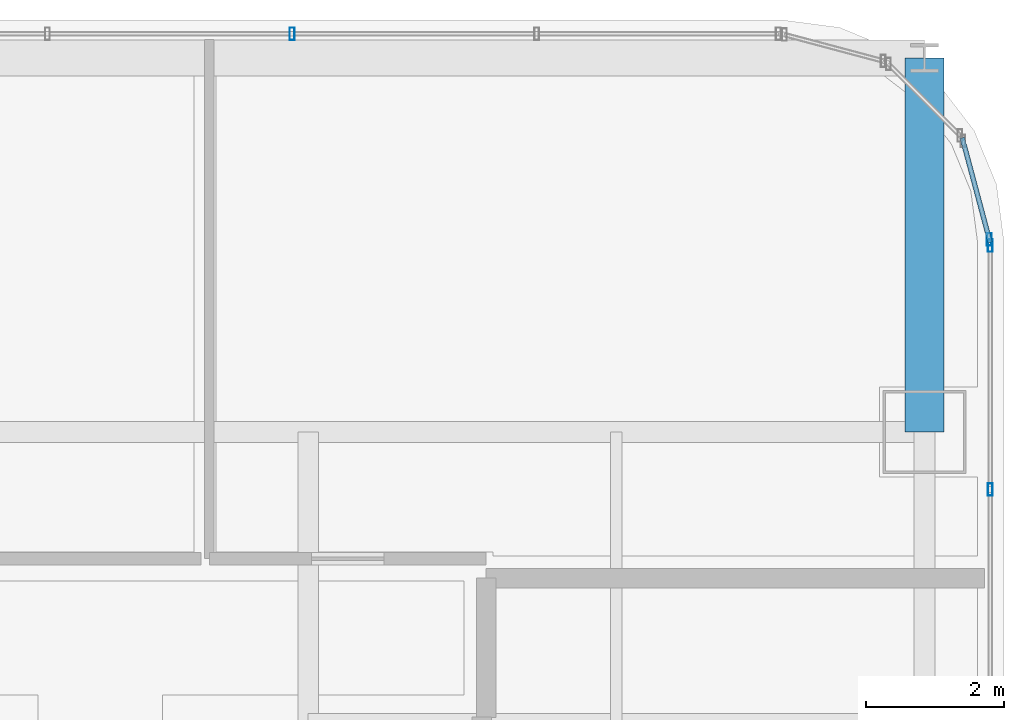
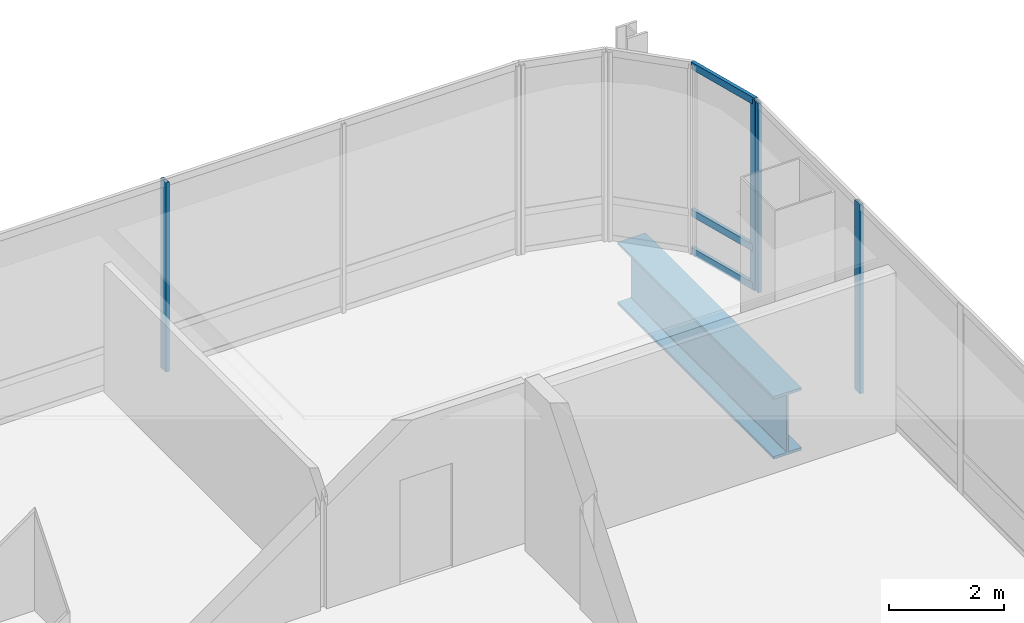
# One storey, part 29 of 41: 7 members, 1 beam, 3 elements without a shape of their own.
"""IFC4 building model written with IfcOpenShell, lengths in metres."""

import ifcopenshell
import ifcopenshell.guid

model = None  # the IFC model being written
_history = None  # IfcOwnerHistory: only IFC2X3 demands one
_inside = {}  # id of a spatial element -> (the spatial element, [elements in it])
_under = {}  # id of a project, library or spatial element -> (it, [spatial elements below it])
_declared = {}  # id of a project -> (the project, [libraries it declares])
_typed = {}  # id of a type object -> (the type object, [elements of that type])
_made_of = {}  # id of a material, layer set ... -> (it, [elements and type objects made of it])


def new_model(schema):
    """Start an empty IFC model of exactly this schema.

    Asked for "IFC4X3", IfcOpenShell would pick the latest addendum, in which some entities
    have other attributes; the version numbers below select the first issue.
    IFC2X3 requires an IfcOwnerHistory on every rooted entity: one is made here for all.
    """
    global model, _history
    if schema == "IFC4X3":
        model = ifcopenshell.file(schema_version=(4, 3, 0, 0))
    else:
        model = ifcopenshell.file(schema=schema)
    _inside.clear()
    _under.clear()
    _declared.clear()
    _typed.clear()
    _made_of.clear()
    _history = None
    if model.schema == "IFC2X3":
        org = make("IfcOrganization", Name="unknown")
        user = make(
            "IfcPersonAndOrganization",
            ThePerson=make("IfcPerson", FamilyName="unknown"),
            TheOrganization=org,
        )
        app = make(
            "IfcApplication",
            ApplicationDeveloper=org,
            Version="unknown",
            ApplicationFullName="unknown",
            ApplicationIdentifier="unknown",
        )
        _history = make(
            "IfcOwnerHistory",
            OwningUser=user,
            OwningApplication=app,
            ChangeAction="ADDED",
            CreationDate=0,
        )
    return model


def make(cls, **values):
    """One entity of the class cls with the attributes given. An attribute that is None is left unset."""
    return model.create_entity(
        cls, **{name: value for name, value in values.items() if value is not None}
    )


def rooted(cls, **values):
    """An entity with a GlobalId (a new one), such as an element, a storey or a relation."""
    return make(cls, GlobalId=ifcopenshell.guid.new(), OwnerHistory=_history, **values)


def si_unit(unit_type, name, prefix=None):
    """IfcSIUnit, for example si_unit("LENGTHUNIT", "METRE", prefix="MILLI")."""
    return make("IfcSIUnit", UnitType=unit_type, Prefix=prefix, Name=name)


def assignment(units):
    """IfcUnitAssignment: the units of a project."""
    return None if units is None else make("IfcUnitAssignment", Units=units)


def point(xyz):
    """IfcCartesianPoint."""
    return None if xyz is None else make("IfcCartesianPoint", Coordinates=xyz)


def direction(xyz):
    """IfcDirection."""
    return None if xyz is None else make("IfcDirection", DirectionRatios=xyz)


def frame(location, z_axis=None, x_axis=None):
    """IfcAxis2Placement3D, a coordinate frame: its origin and axes. An axis left out is left unset."""
    return make(
        "IfcAxis2Placement3D",
        Location=point(location),
        Axis=direction(z_axis),
        RefDirection=direction(x_axis),
    )


def frame_2d(location, x_axis=None):
    """IfcAxis2Placement2D, a coordinate frame in the plane: its origin and x axis."""
    return make(
        "IfcAxis2Placement2D", Location=point(location), RefDirection=direction(x_axis)
    )


def origin():
    """The frame at (0, 0, 0) with its axes left unset."""
    return frame((0.0, 0.0, 0.0))


def origin_2d():
    """The frame at (0, 0) in the plane with its x axis left unset."""
    return frame_2d((0.0, 0.0))


def place(relative_to, where):
    """IfcLocalPlacement: puts the frame where relative to a parent placement (None: the world)."""
    return make(
        "IfcLocalPlacement", PlacementRelTo=relative_to, RelativePlacement=where
    )


def context(
    kind, dimensions, precision=None, world=None, true_north=None, identifier=None
):
    """IfcGeometricRepresentationContext, for example the 3D "Model" context."""
    return make(
        "IfcGeometricRepresentationContext",
        ContextIdentifier=identifier,
        ContextType=kind,
        CoordinateSpaceDimension=dimensions,
        Precision=precision,
        WorldCoordinateSystem=world,
        TrueNorth=true_north,
    )


def subcontext(parent, identifier, kind, view, scale=None):
    """IfcGeometricRepresentationSubContext, for example "Body" below "Model"."""
    return make(
        "IfcGeometricRepresentationSubContext",
        ContextIdentifier=identifier,
        ContextType=kind,
        ParentContext=parent,
        TargetScale=scale,
        TargetView=view,
    )


def project(units=None, contexts=None):
    """IfcProject with its units and contexts."""
    return rooted(
        "IfcProject",
        Name="project",
        RepresentationContexts=contexts,
        UnitsInContext=assignment(units),
    )


def spatial(cls, under=None, at=None, **own):
    """A site, building, storey or space (cls), placed at a placement, below another one or the project."""
    s = rooted(cls, ObjectPlacement=at, **own)
    if under is not None:
        _under.setdefault(under.id(), (under, []))[1].append(s)
    return s


def profile(cls, at=None, kind="AREA", **sizes):
    """A parametric profile (cls). Its sizes go by their IFC names, for example OverallWidth=200.0."""
    return make(cls, ProfileType=kind, Position=at, **sizes)


def hollow_rectangle(**sizes):
    """IfcRectangleHollowProfileDef."""
    return profile("IfcRectangleHollowProfileDef", **sizes)


def i_section(**sizes):
    """IfcIShapeProfileDef."""
    return profile("IfcIShapeProfileDef", **sizes)


def extrude(swept, where, along, depth):
    """IfcExtrudedAreaSolid: the profile swept, set in the frame where, extruded along a direction by depth."""
    return make(
        "IfcExtrudedAreaSolid",
        SweptArea=swept,
        Position=where,
        ExtrudedDirection=direction(along),
        Depth=depth,
    )


def shape(context_of_items, identifier, shape_type, items):
    """IfcShapeRepresentation: the items that make up one representation, for example the "Body"."""
    return make(
        "IfcShapeRepresentation",
        ContextOfItems=context_of_items,
        RepresentationIdentifier=identifier,
        RepresentationType=shape_type,
        Items=items,
    )


def material(Name=None, Category=None):
    """IfcMaterial."""
    return make("IfcMaterial", Name=Name, Category=Category)


def material_profile(
    of_material, cross_section, Name=None, Category=None, Priority=None
):
    """IfcMaterialProfile: a cross section and its material."""
    return make(
        "IfcMaterialProfile",
        Name=Name,
        Material=of_material,
        Profile=cross_section,
        Priority=Priority,
        Category=Category,
    )


def profile_set(profiles, Name=None, composite=None):
    """IfcMaterialProfileSet."""
    return make(
        "IfcMaterialProfileSet",
        Name=Name,
        MaterialProfiles=profiles,
        CompositeProfile=composite,
    )


def made_of(thing, what):
    """Note that an element or type object is made of a material, layer set ...; save() writes the relation."""
    if what is not None:
        _made_of.setdefault(what.id(), (what, []))[1].append(thing)
    return thing


def type_object(cls, material=None, **own):
    """A type object (cls), such as IfcWallType, which elements share."""
    return made_of(rooted(cls, **own), material)


def element(
    cls,
    number,
    at=None,
    inside=None,
    cuts=None,
    type_object=None,
    material=None,
    context=None,
    identifier="Body",
    shape_type=None,
    held_by="IfcProductDefinitionShape",
    body=None,
    shapes=None,
    **own,
):
    """One element of the class cls, such as IfcWall. Its Tag is "e" and its number.

    at: its placement. inside: the storey or other place that contains it. cuts: it is an
    opening in that element (IfcRelVoidsElement). A single representation is given by context,
    identifier, shape_type and body (its items); several are given by shapes. held_by: the class
    of the entity that holds the representations. save() writes the other relations.
    """
    e = rooted(cls, Tag="e%d" % number, ObjectPlacement=at, **own)
    if body is not None:
        shapes = [shape(context, identifier, shape_type, body)]
    if shapes is not None:
        e.Representation = make(held_by, Representations=shapes)
    if inside is not None:
        _inside.setdefault(inside.id(), (inside, []))[1].append(e)
    if cuts is not None:
        rooted(
            "IfcRelVoidsElement", RelatingBuildingElement=cuts, RelatedOpeningElement=e
        )
    if type_object is not None:
        _typed.setdefault(type_object.id(), (type_object, []))[1].append(e)
    return made_of(e, material)


def aggregate(whole, parts):
    """IfcRelAggregates: a whole, such as a stair, and the parts it consists of."""
    return rooted("IfcRelAggregates", RelatingObject=whole, RelatedObjects=parts)


def save(model, path):
    """Write the relations noted so far, then the file.

    IfcRelAggregates (storeys below a building ...), IfcRelContainedInSpatialStructure (elements
    in a storey), IfcRelDefinesByType, IfcRelAssociatesMaterial and IfcRelDeclares: one each for
    every whole, place, type object, material and project.
    """
    for whole, parts in _under.values():
        aggregate(whole, parts)
    for where, things in _inside.values():
        rooted(
            "IfcRelContainedInSpatialStructure",
            RelatedElements=things,
            RelatingStructure=where,
        )
    for kind, things in _typed.values():
        rooted("IfcRelDefinesByType", RelatedObjects=things, RelatingType=kind)
    for what, things in _made_of.values():
        rooted("IfcRelAssociatesMaterial", RelatedObjects=things, RelatingMaterial=what)
    for by, libraries in _declared.values():
        rooted("IfcRelDeclares", RelatingContext=by, RelatedDefinitions=libraries)
    model.write(path)


model = new_model("IFC4")

# Units and contexts
model_context = context("Model", 3, precision=1e-05, world=origin(), true_north=direction((0.0, 1.0)))
body_context = subcontext(model_context, "Body", "Model", "MODEL_VIEW")
ifc_project = project(units=[si_unit("LENGTHUNIT", "METRE"), si_unit("AREAUNIT", "SQUARE_METRE"), si_unit("VOLUMEUNIT", "CUBIC_METRE"), si_unit("PLANEANGLEUNIT", "RADIAN"), si_unit("MASSUNIT", "GRAM", prefix="KILO")], contexts=[model_context])

# Site, building, storey
site_placement = place(None, origin())
site = spatial("IfcSite", under=ifc_project, at=site_placement, CompositionType="ELEMENT")
building_placement = place(site_placement, origin())
building = spatial("IfcBuilding", under=site, at=building_placement, Name="Punatoya Terracotta Tower", CompositionType="ELEMENT")
storey_placement = place(building_placement, frame((0.0, 0.0, 292.199951171875)))
storey = spatial("IfcBuildingStorey", under=building, at=storey_placement, Name="L69", CompositionType="ELEMENT", Elevation=292.199951171875)

# Beam
ifc_material_1 = material(Name="Steel S460", Category="steel")
ifc_material_profile_1 = material_profile(ifc_material_1, i_section(OverallWidth=0.56005859375, OverallDepth=1.320068359375, WebThickness=0.035888671875, FlangeThickness=0.054931640625, FilletRadius=0.01806640625, at=origin_2d()))
ifc_profile_set_1 = profile_set([ifc_material_profile_1], Name="Steel S460")
beam_type = type_object("IfcBeamType", Name="BM-TG-BLK", PredefinedType="BEAM", material=ifc_profile_set_1)
beam_placement = place(storey_placement, frame((19.10009765625, 17.5, -0.85986328125), z_axis=(0.0, 1.0, 0.0), x_axis=(-1.0, 0.0, 0.0)))
element("IfcBeam", 1, at=beam_placement, inside=storey, type_object=beam_type, Name="BM-L69-CANT-N4", PredefinedType="BEAM", context=body_context, shape_type="SweptSolid", body=[
    extrude(i_section(OverallWidth=0.56005859375, OverallDepth=1.320068359375, WebThickness=0.035888671875, FlangeThickness=0.054931640625, FilletRadius=0.01806640625, at=origin_2d()), origin(), (0.0, 0.0, 1.0), 5.39990234375),
])

# Curtain wall, members
ifc_material_2 = material(Name="Aluminium 6063-T6 + Double Low-E Glass", Category="aluminium")
curtain_wall_type = type_object("IfcCurtainWallType", Name="CW-M3", PredefinedType="NOTDEFINED", material=ifc_material_2)
curtain_wall_1_placement = place(storey_placement, origin())
curtain_wall_1 = element("IfcCurtainWall", 2, at=curtain_wall_1_placement, inside=storey, type_object=curtain_wall_type, Name="L69 Curtain Wall CW-L69-E05-1", PredefinedType="NOTDEFINED")
ifc_material_3 = material(Name="Aluminium 6063-T6", Category="aluminium")
ifc_material_profile_2 = material_profile(ifc_material_3, hollow_rectangle(XDim=0.070068359375, YDim=0.179931640625, WallThickness=0.00390625, at=origin_2d()))
ifc_profile_set_2 = profile_set([ifc_material_profile_2], Name="Aluminium 6063-T6")
member_type_1 = type_object("IfcMemberType", Name="CW-MUL-M3", PredefinedType="MULLION", material=ifc_profile_set_2)
member_1_placement = place(storey_placement, frame((20.050048828125, 16.66943359375, 0.0), z_axis=(0.0, 0.0, 1.0), x_axis=(1.0, 0.0, 0.0)))
member_1 = element("IfcMember", 3, at=member_1_placement, type_object=member_type_1, Name="CW-L69-E05-1 Mullion 09", PredefinedType="MULLION", context=body_context, shape_type="SweptSolid", body=[
    extrude(hollow_rectangle(XDim=0.070068359375, YDim=0.179931640625, WallThickness=0.00390625, at=origin_2d()), origin(), (0.0, 0.0, 1.0), 4.0),
])
member_2_placement = place(storey_placement, frame((20.050048828125, 20.19189453125, 0.0), z_axis=(0.0, 0.0, 1.0), x_axis=(1.0, 0.0, 0.0)))
member_2 = element("IfcMember", 4, at=member_2_placement, type_object=member_type_1, Name="CW-L69-E05-1 Mullion 10", PredefinedType="MULLION", context=body_context, shape_type="SweptSolid", body=[
    extrude(hollow_rectangle(XDim=0.070068359375, YDim=0.179931640625, WallThickness=0.00390625, at=origin_2d()), origin(), (0.0, 0.0, 1.0), 4.0),
])
aggregate(curtain_wall_1, [member_1, member_2])

# Curtain wall, member
curtain_wall_2_placement = place(storey_placement, origin())
curtain_wall_2 = element("IfcCurtainWall", 5, at=curtain_wall_2_placement, inside=storey, type_object=curtain_wall_type, Name="L69 Curtain Wall CW-L69-CRN06", PredefinedType="NOTDEFINED")
member_3_placement = place(storey_placement, frame((20.038330078125, 20.280517578125, 0.0), z_axis=(0.0, 0.0, 1.0), x_axis=(1.0, 0.0, 0.0)))
member_3 = element("IfcMember", 6, at=member_3_placement, type_object=member_type_1, Name="CW-L69-CRN06 Mullion 00", PredefinedType="MULLION", context=body_context, shape_type="SweptSolid", body=[
    extrude(hollow_rectangle(XDim=0.070068359375, YDim=0.179931640625, WallThickness=0.00390625, at=origin_2d()), origin(), (0.0, 0.0, 1.0), 4.0),
])

curtain_wall_3_placement = place(storey_placement, origin())
curtain_wall_3 = element("IfcCurtainWall", 7, at=curtain_wall_3_placement, inside=storey, type_object=curtain_wall_type, Name="L69 Curtain Wall CW-L69-N09-1", PredefinedType="NOTDEFINED")
member_4_placement = place(storey_placement, frame((9.968994140625, 23.25, 0.0), z_axis=(0.0, 0.0, 1.0), x_axis=(1.0, 0.0, 0.0)))
member_4 = element("IfcMember", 8, at=member_4_placement, type_object=member_type_1, Name="CW-L69-N09-1 Mullion 02", PredefinedType="MULLION", context=body_context, shape_type="SweptSolid", body=[
    extrude(hollow_rectangle(XDim=0.070068359375, YDim=0.179931640625, WallThickness=0.00390625, at=origin_2d()), origin(), (0.0, 0.0, 1.0), 4.0),
])
aggregate(curtain_wall_3, [member_4])

# Member
ifc_material_profile_3 = material_profile(ifc_material_3, hollow_rectangle(XDim=0.068115234375, YDim=0.14990234375, WallThickness=0.00390625, at=origin_2d()))
ifc_profile_set_3 = profile_set([ifc_material_profile_3], Name="Aluminium 6063-T6")
member_type_2 = type_object("IfcMemberType", Name="CW-TRN-TYP", PredefinedType="USERDEFINED", material=ifc_profile_set_3)
member_5_placement = place(storey_placement, frame((20.050048828125, 20.23681640625, 0.0400390625), z_axis=(-0.257847112249, 0.966185730957, 0.0), x_axis=(-0.966185730957, -0.257847112249, 0.0)))
member_5 = element("IfcMember", 9, at=member_5_placement, type_object=member_type_2, Name="CW-L69-CRN06 Transom 1", ObjectType="TRANSOM", PredefinedType="USERDEFINED", context=body_context, shape_type="SweptSolid", body=[
    extrude(hollow_rectangle(XDim=0.068115234375, YDim=0.14990234375, WallThickness=0.00390625, at=origin_2d()), origin(), (0.0, 0.0, 1.0), 1.565185546875),
])

member_6_placement = place(storey_placement, frame((20.050048828125, 20.23681640625, 0.85009765625), z_axis=(-0.257847112249, 0.966185730957, 0.0), x_axis=(-0.966185730957, -0.257847112249, 0.0)))
member_6 = element("IfcMember", 10, at=member_6_placement, type_object=member_type_2, Name="CW-L69-CRN06 Transom 2", ObjectType="TRANSOM", PredefinedType="USERDEFINED", context=body_context, shape_type="SweptSolid", body=[
    extrude(hollow_rectangle(XDim=0.068115234375, YDim=0.14990234375, WallThickness=0.00390625, at=origin_2d()), origin(), (0.0, 0.0, 1.0), 1.565185546875),
])

member_7_placement = place(storey_placement, frame((20.050048828125, 20.23681640625, 3.9599609375), z_axis=(-0.257847112249, 0.966185730957, 0.0), x_axis=(-0.966185730957, -0.257847112249, 0.0)))
member_7 = element("IfcMember", 11, at=member_7_placement, type_object=member_type_2, Name="CW-L69-CRN06 Transom 3", ObjectType="TRANSOM", PredefinedType="USERDEFINED", context=body_context, shape_type="SweptSolid", body=[
    extrude(hollow_rectangle(XDim=0.068115234375, YDim=0.14990234375, WallThickness=0.00390625, at=origin_2d()), origin(), (0.0, 0.0, 1.0), 1.565185546875),
])

aggregate(curtain_wall_2, [member_3, member_5, member_6, member_7])

save(model, "model.ifc")
